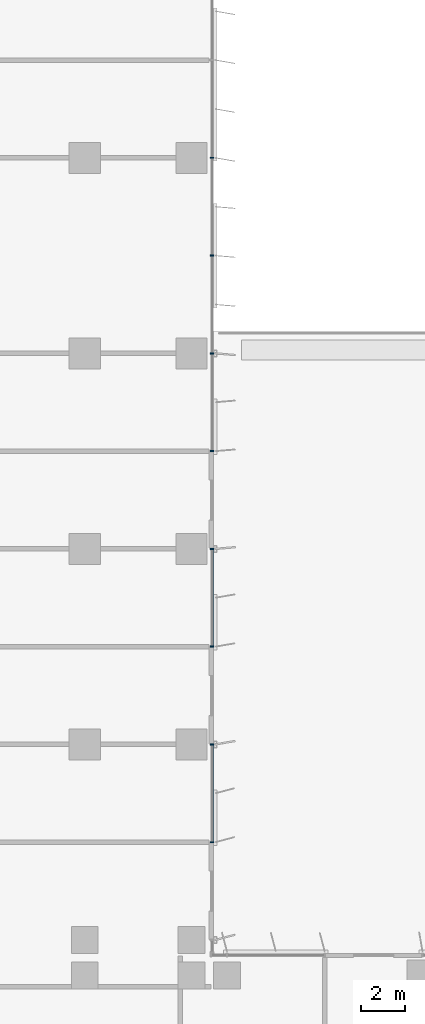
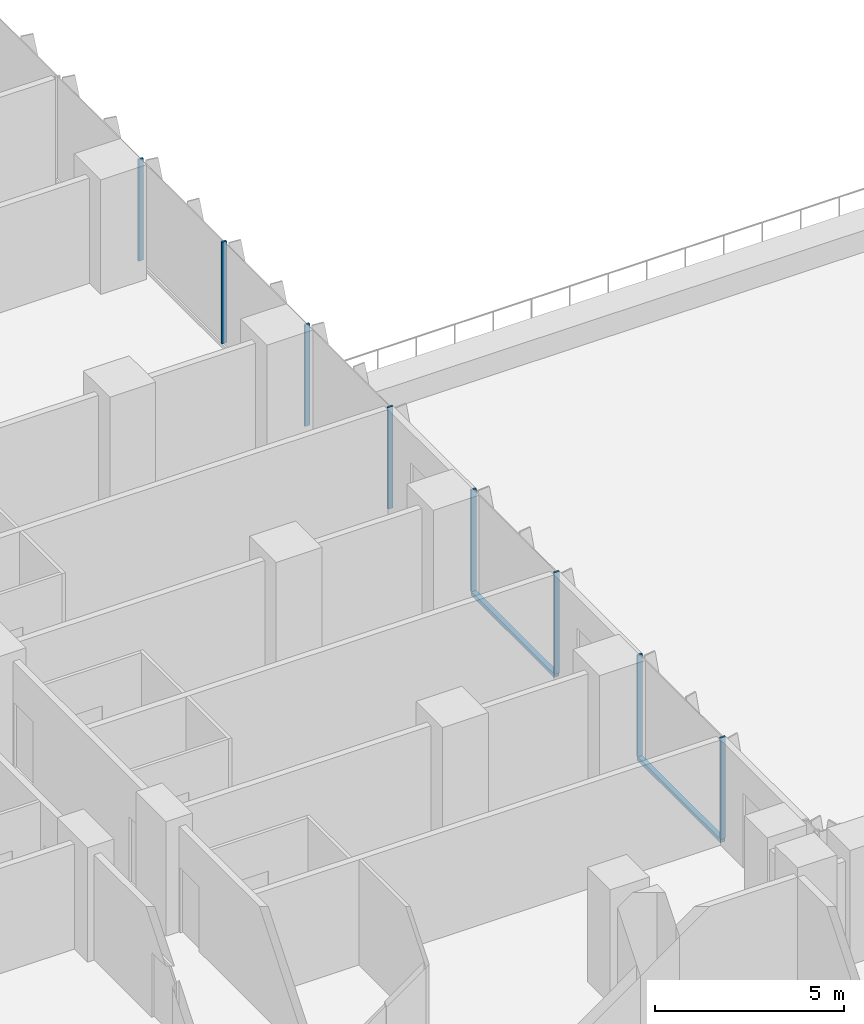
# One storey, part 4 of 23: 10 members, 3 elements without a shape of their own.
"""IFC4 building model written with IfcOpenShell, lengths in metres."""

from ifc_helpers import new_model, si_unit, direction, frame, origin, origin_2d, place, context, subcontext, project, spatial, rectangle, extrude, source, transform, mapped, material, material_profile, profile_set, type_object, element, aggregate, save


model = new_model("IFC4")

# Units and contexts
model_context = context("Model", 3, precision=1e-05, world=origin(), true_north=direction((0.0, 1.0)))
body_context = subcontext(model_context, "Body", "Model", "MODEL_VIEW")
ifc_project = project(units=[si_unit("LENGTHUNIT", "METRE"), si_unit("AREAUNIT", "SQUARE_METRE"), si_unit("VOLUMEUNIT", "CUBIC_METRE"), si_unit("PLANEANGLEUNIT", "RADIAN"), si_unit("MASSUNIT", "GRAM", prefix="KILO")], contexts=[model_context])

# Site, building, storey
site_placement = place(None, origin())
site = spatial("IfcSite", under=ifc_project, at=site_placement, CompositionType="ELEMENT")
building_placement = place(site_placement, origin())
building = spatial("IfcBuilding", under=site, at=building_placement, Name="Kemantara Hotel Tower", CompositionType="ELEMENT")
storey_placement = place(building_placement, frame((0.0, 0.0, 34.0)))
storey = spatial("IfcBuildingStorey", under=building, at=storey_placement, Name="L06", CompositionType="ELEMENT", Elevation=34.0)

# Curtain wall, member
ifc_material_1 = material(Name="Toughened tinted glass 32 mm", Category="glass")
curtain_wall_type = type_object("IfcCurtainWallType", Name="TERRACE GLAZING WALL", PredefinedType="USERDEFINED", material=ifc_material_1)
curtain_wall_1_placement = place(storey_placement, origin())
curtain_wall_1 = element("IfcCurtainWall", 1, at=curtain_wall_1_placement, inside=storey, type_object=curtain_wall_type, Name="CW6 L06 T1-R08-2", ObjectType="TERRACE GLAZING WALL", PredefinedType="USERDEFINED")
ifc_material_2 = material(Name="Aluminium 6063-T6 bronze anodised", Category="aluminium")
ifc_material_profile_1 = material_profile(ifc_material_2, rectangle(XDim=0.14990234375, YDim=0.1201171875, at=origin_2d()), Name="TERRACE GLAZING WALL TRANSOM")
ifc_profile_set_1 = profile_set([ifc_material_profile_1], Name="Aluminium 6063-T6 bronze anodised")
member_type_1 = type_object("IfcMemberType", Name="TERRACE GLAZING WALL TRANSOM", PredefinedType="USERDEFINED", material=ifc_profile_set_1)
member_1_placement = place(storey_placement, frame((26.72509765625, 31.800048828125, 0.06005859375), z_axis=(0.0, 1.0, 0.0), x_axis=(-1.0, 0.0, 0.0)))
member_1 = element("IfcMember", 2, at=member_1_placement, type_object=member_type_1, Name="CW6 sill transom T1-R08-2", ObjectType="TRANSOM", PredefinedType="USERDEFINED", context=body_context, shape_type="SweptSolid", body=[
    extrude(rectangle(XDim=0.14990234375, YDim=0.1201171875, at=origin_2d()), origin(), (0.0, 0.0, 1.0), 4.39990234375),
])

curtain_wall_2_placement = place(storey_placement, origin())
curtain_wall_2 = element("IfcCurtainWall", 3, at=curtain_wall_2_placement, inside=storey, type_object=curtain_wall_type, Name="CW6 L06 T1-R08-3", ObjectType="TERRACE GLAZING WALL", PredefinedType="USERDEFINED")
member_2_placement = place(storey_placement, frame((26.72509765625, 40.60009765625, 0.06005859375), z_axis=(0.0, 1.0, 0.0), x_axis=(-1.0, 0.0, 0.0)))
member_2 = element("IfcMember", 4, at=member_2_placement, type_object=member_type_1, Name="CW6 sill transom T1-R08-3", ObjectType="TRANSOM", PredefinedType="USERDEFINED", context=body_context, shape_type="SweptSolid", body=[
    extrude(rectangle(XDim=0.14990234375, YDim=0.1201171875, at=origin_2d()), origin(), (0.0, 0.0, 1.0), 4.39990234375),
])

# Member
ifc_material_profile_2 = material_profile(ifc_material_2, rectangle(XDim=0.14990234375, YDim=0.06005859375, at=origin_2d()), Name="TERRACE GLAZING WALL MULLION")
ifc_profile_set_2 = profile_set([ifc_material_profile_2], Name="Aluminium 6063-T6 bronze anodised")
member_type_2 = type_object("IfcMemberType", Name="TERRACE GLAZING WALL MULLION", PredefinedType="MULLION", material=ifc_profile_set_2)
shared_shape = source(origin(), body_context, "Body", "SweptSolid", [
    extrude(rectangle(XDim=0.14990234375, YDim=0.06005859375, at=origin_2d()), origin(), (0.0, 0.0, 1.0), 3.27978515625),
])
member_3_placement = place(storey_placement, frame((26.72509765625, 31.800048828125, 0.1201171875), z_axis=(0.0, 0.0, 1.0), x_axis=(-1.0, 0.0, 0.0)))
member_3 = element("IfcMember", 5, at=member_3_placement, type_object=member_type_2, Name="CW6 mullion T1-R08-2.1", PredefinedType="MULLION", context=body_context, shape_type="MappedRepresentation", body=[
    mapped(shared_shape, transform((0.0, 0.0, 0.0))),
])

member_4_placement = place(storey_placement, frame((26.72509765625, 36.199951171875, 0.1201171875), z_axis=(0.0, 0.0, 1.0), x_axis=(-1.0, 0.0, 0.0)))
member_4 = element("IfcMember", 6, at=member_4_placement, type_object=member_type_2, Name="CW6 mullion T1-R08-2.2", PredefinedType="MULLION", context=body_context, shape_type="MappedRepresentation", body=[
    mapped(shared_shape, transform((0.0, 0.0, 0.0))),
])

aggregate(curtain_wall_1, [member_1, member_3, member_4])

member_5_placement = place(storey_placement, frame((26.72509765625, 40.60009765625, 0.1201171875), z_axis=(0.0, 0.0, 1.0), x_axis=(-1.0, 0.0, 0.0)))
member_5 = element("IfcMember", 7, at=member_5_placement, type_object=member_type_2, Name="CW6 mullion T1-R08-3.1", PredefinedType="MULLION", context=body_context, shape_type="MappedRepresentation", body=[
    mapped(shared_shape, transform((0.0, 0.0, 0.0))),
])

member_6_placement = place(storey_placement, frame((26.72509765625, 45.0, 0.1201171875), z_axis=(0.0, 0.0, 1.0), x_axis=(-1.0, 0.0, 0.0)))
member_6 = element("IfcMember", 8, at=member_6_placement, type_object=member_type_2, Name="CW6 mullion T1-R08-3.2", PredefinedType="MULLION", context=body_context, shape_type="MappedRepresentation", body=[
    mapped(shared_shape, transform((0.0, 0.0, 0.0))),
])

aggregate(curtain_wall_2, [member_2, member_5, member_6])

# Curtain wall, members
curtain_wall_3_placement = place(storey_placement, origin())
curtain_wall_3 = element("IfcCurtainWall", 9, at=curtain_wall_3_placement, inside=storey, type_object=curtain_wall_type, Name="CW6 L06 T1-R08-4", ObjectType="TERRACE GLAZING WALL", PredefinedType="USERDEFINED")
member_7_placement = place(storey_placement, frame((26.72509765625, 49.39990234375, 0.1201171875), z_axis=(0.0, 0.0, 1.0), x_axis=(-1.0, 0.0, 0.0)))
member_7 = element("IfcMember", 10, at=member_7_placement, type_object=member_type_2, Name="CW6 mullion T1-R08-4.1", PredefinedType="MULLION", context=body_context, shape_type="MappedRepresentation", body=[
    mapped(shared_shape, transform((0.0, 0.0, 0.0))),
])
member_8_placement = place(storey_placement, frame((26.72509765625, 53.800048828125, 0.1201171875), z_axis=(0.0, 0.0, 1.0), x_axis=(-1.0, 0.0, 0.0)))
member_8 = element("IfcMember", 11, at=member_8_placement, type_object=member_type_2, Name="CW6 mullion T1-R08-4.2", PredefinedType="MULLION", context=body_context, shape_type="MappedRepresentation", body=[
    mapped(shared_shape, transform((0.0, 0.0, 0.0))),
])
member_9_placement = place(storey_placement, frame((26.72509765625, 58.199951171875, 0.1201171875), z_axis=(0.0, 0.0, 1.0), x_axis=(-1.0, 0.0, 0.0)))
member_9 = element("IfcMember", 12, at=member_9_placement, type_object=member_type_2, Name="CW6 mullion T1-R08-4.3", PredefinedType="MULLION", context=body_context, shape_type="MappedRepresentation", body=[
    mapped(shared_shape, transform((0.0, 0.0, 0.0))),
])
member_10_placement = place(storey_placement, frame((26.72509765625, 62.60009765625, 0.1201171875), z_axis=(0.0, 0.0, 1.0), x_axis=(-1.0, 0.0, 0.0)))
member_10 = element("IfcMember", 13, at=member_10_placement, type_object=member_type_2, Name="CW6 mullion T1-R08-4.4", PredefinedType="MULLION", context=body_context, shape_type="MappedRepresentation", body=[
    mapped(shared_shape, transform((0.0, 0.0, 0.0))),
])
aggregate(curtain_wall_3, [member_7, member_8, member_9, member_10])

save(model, "model.ifc")
